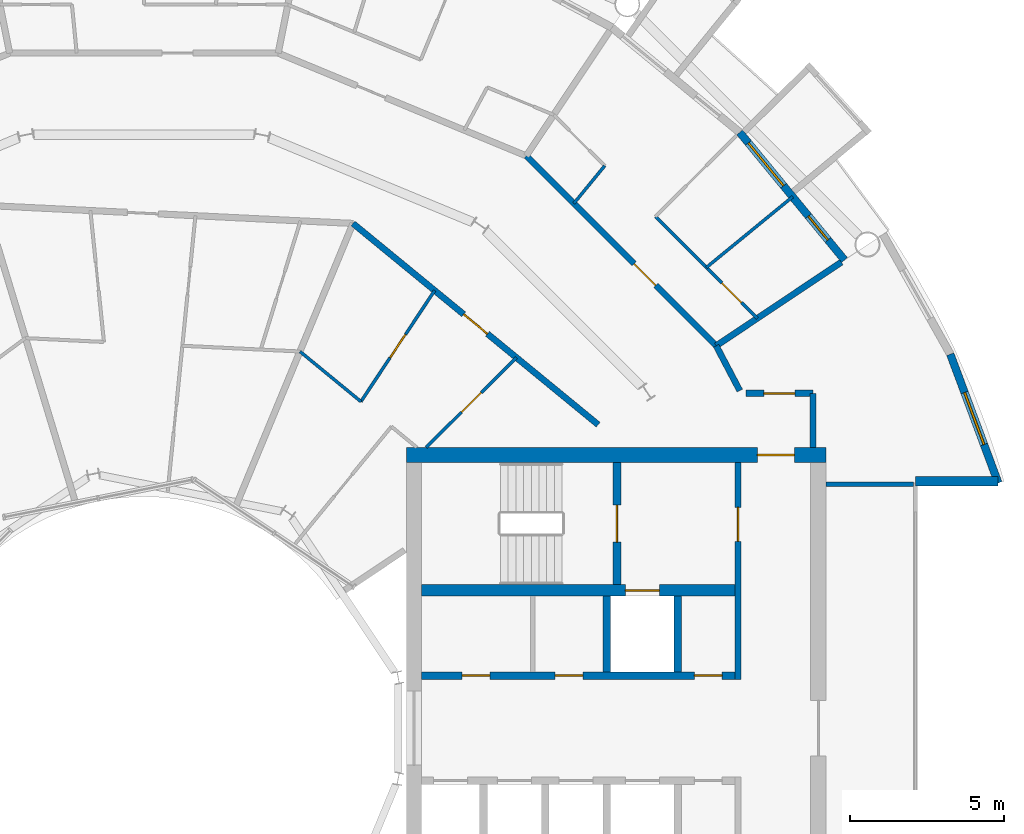
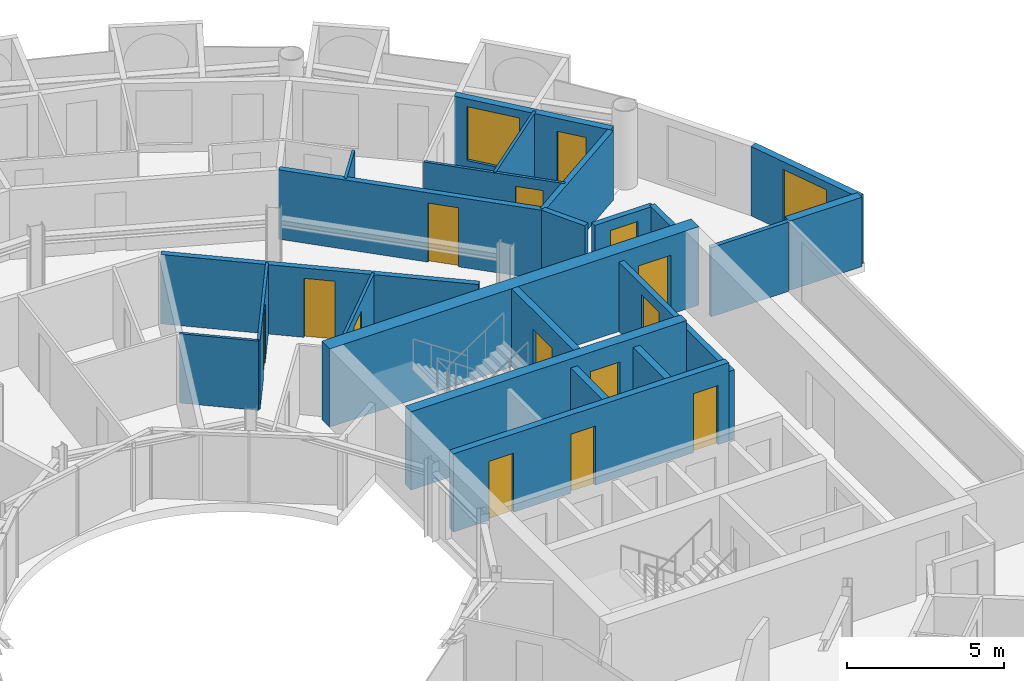
# One storey, part 22 of 27: 23 walls, 14 doors, 2 windows, 16 openings.
"""IFC4 building model written with IfcOpenShell, lengths in metres."""

from ifc_helpers import new_model, si_unit, direction, frame, frame_2d, origin, place, context, subcontext, project, spatial, rectangle, extrude, material, layer, layer_set, type_object, element, fill, save


model = new_model("IFC4")

# Units and contexts
model_context = context("Model", 3, precision=1e-05, world=origin(), true_north=direction((0.0, 1.0)))
body_context = subcontext(model_context, "Body", "Model", "MODEL_VIEW")
ifc_project = project(units=[si_unit("LENGTHUNIT", "METRE"), si_unit("AREAUNIT", "SQUARE_METRE"), si_unit("VOLUMEUNIT", "CUBIC_METRE"), si_unit("PLANEANGLEUNIT", "RADIAN"), si_unit("MASSUNIT", "GRAM", prefix="KILO")], contexts=[model_context])

# Site, building, storey
site_placement = place(None, origin())
site = spatial("IfcSite", under=ifc_project, at=site_placement, CompositionType="ELEMENT")
building_placement = place(site_placement, origin())
building = spatial("IfcBuilding", under=site, at=building_placement, Name="Maasbend Ring Residences", CompositionType="ELEMENT")
storey_placement = place(building_placement, frame((0.0, 0.0, 170.75)))
storey = spatial("IfcBuildingStorey", under=building, at=storey_placement, Name="L49", CompositionType="ELEMENT", Elevation=170.75)

# Wall, openings, doors
ifc_material_1 = material(Name="Concrete C60/75", Category="concrete")
ifc_layer_1 = layer(ifc_material_1, 0.25)
ifc_layer_set_1 = layer_set([ifc_layer_1], Name="Concrete C60/75")
wall_type_1 = type_object("IfcWallType", Name="CORE WALL 250 C60/75", PredefinedType="SHEAR", material=ifc_layer_set_1)
wall_1_placement = place(storey_placement, frame((9.0, 1.699951171875, 0.0), z_axis=(0.0, 0.0, 1.0), x_axis=(1.0, 0.0, 0.0)))
wall_1 = element("IfcWall", 1, at=wall_1_placement, inside=storey, type_object=wall_type_1, Name="L49 core E wall SPN", PredefinedType="SHEAR", context=body_context, shape_type="SweptSolid", body=[
    extrude(rectangle(XDim=10.14990234375, YDim=0.25, at=frame_2d((5.074951171875, 0.0))), origin(), (0.0, 0.0, 1.0), 3.050048828125),
])
opening_1_placement = place(wall_1_placement, frame((1.3125, 0.0, 0.0)))
opening_1 = element("IfcOpeningElement", 2, at=opening_1_placement, cuts=wall_1, Name="Opening D-E4906", PredefinedType="OPENING", context=body_context, shape_type="SweptSolid", body=[
    extrude(rectangle(XDim=0.89990234375, YDim=2.300048828125, at=frame_2d((0.449951171875, 1.14990234375))), frame((0.0, 0.135009765625, 0.0), z_axis=(0.0, -1.0, 0.0), x_axis=(1.0, 0.0, 0.0)), (0.0, 0.0, 1.0), 0.27001953125),
])
opening_2_placement = place(wall_1_placement, frame((4.324951171875, 0.0, 0.0)))
opening_2 = element("IfcOpeningElement", 3, at=opening_2_placement, cuts=wall_1, Name="Opening D-E4907", PredefinedType="OPENING", context=body_context, shape_type="SweptSolid", body=[
    extrude(rectangle(XDim=0.89990234375, YDim=2.300048828125, at=frame_2d((0.449951171875, 1.14990234375))), frame((0.0, 0.135009765625, 0.0), z_axis=(0.0, -1.0, 0.0), x_axis=(1.0, 0.0, 0.0)), (0.0, 0.0, 1.0), 0.27001953125),
])
opening_3_placement = place(wall_1_placement, frame((8.83740234375, 0.0, 0.0)))
opening_3 = element("IfcOpeningElement", 4, at=opening_3_placement, cuts=wall_1, Name="Opening D-E4908", PredefinedType="OPENING", context=body_context, shape_type="SweptSolid", body=[
    extrude(rectangle(XDim=0.89990234375, YDim=2.300048828125, at=frame_2d((0.449951171875, 1.14990234375))), frame((0.0, 0.135009765625, 0.0), z_axis=(0.0, -1.0, 0.0), x_axis=(1.0, 0.0, 0.0)), (0.0, 0.0, 1.0), 0.27001953125),
])
ifc_material_2 = material(Name="Steel, powder coated", Category="steel")
door_type_1 = type_object("IfcDoorType", Name="ROOM DOOR 900 X 2300 FD30S", OperationType="NOTDEFINED", PredefinedType="DOOR", material=ifc_material_2)
door_1_placement = place(opening_1_placement, origin())
door_1 = element("IfcDoor", 5, at=door_1_placement, inside=storey, type_object=door_type_1, Name="Room door L49", OperationType="SINGLE_SWING_RIGHT", OverallHeight=2.300048828125, OverallWidth=0.89990234375, PredefinedType="DOOR", context=body_context, shape_type="SweptSolid", body=[
    extrude(rectangle(XDim=0.89990234375, YDim=2.300048828125, at=frame_2d((0.449951171875, 1.14990234375))), frame((0.0, 0.02490234375, 0.0), z_axis=(0.0, -1.0, 0.0), x_axis=(1.0, 0.0, 0.0)), (0.0, 0.0, 1.0), 0.050048828125),
])
fill(opening_1, door_1)
door_2_placement = place(opening_2_placement, origin())
door_2 = element("IfcDoor", 6, at=door_2_placement, inside=storey, type_object=door_type_1, Name="Room door L49", OperationType="SINGLE_SWING_RIGHT", OverallHeight=2.300048828125, OverallWidth=0.89990234375, PredefinedType="DOOR", context=body_context, shape_type="SweptSolid", body=[
    extrude(rectangle(XDim=0.89990234375, YDim=2.300048828125, at=frame_2d((0.449951171875, 1.14990234375))), frame((0.0, 0.02490234375, 0.0), z_axis=(0.0, -1.0, 0.0), x_axis=(1.0, 0.0, 0.0)), (0.0, 0.0, 1.0), 0.050048828125),
])
fill(opening_2, door_2)
door_3_placement = place(opening_3_placement, origin())
door_3 = element("IfcDoor", 7, at=door_3_placement, inside=storey, type_object=door_type_1, Name="Room door L49", OperationType="SINGLE_SWING_LEFT", OverallHeight=2.300048828125, OverallWidth=0.89990234375, PredefinedType="DOOR", context=body_context, shape_type="SweptSolid", body=[
    extrude(rectangle(XDim=0.89990234375, YDim=2.300048828125, at=frame_2d((0.449951171875, 1.14990234375))), frame((0.0, 0.02490234375, 0.0), z_axis=(0.0, -1.0, 0.0), x_axis=(1.0, 0.0, 0.0)), (0.0, 0.0, 1.0), 0.050048828125),
])
fill(opening_3, door_3)

# Wall, opening, door
wall_2_placement = place(storey_placement, frame((15.324951171875, 4.64990234375, 0.0), z_axis=(0.0, 0.0, 1.0), x_axis=(0.0, 1.0, 0.0)))
wall_2 = element("IfcWall", 8, at=wall_2_placement, inside=storey, type_object=wall_type_1, Name="L49 core E wall STEN", PredefinedType="SHEAR", context=body_context, shape_type="SweptSolid", body=[
    extrude(rectangle(XDim=3.9501953125, YDim=0.25, at=frame_2d((1.97509765625, 0.0))), origin(), (0.0, 0.0, 1.0), 3.050048828125),
])
opening_4_placement = place(wall_2_placement, frame((1.375, 0.0, 0.0)))
opening_4 = element("IfcOpeningElement", 9, at=opening_4_placement, cuts=wall_2, Name="Opening D-E4911", PredefinedType="OPENING", context=body_context, shape_type="SweptSolid", body=[
    extrude(rectangle(XDim=1.199951171875, YDim=2.300048828125, at=frame_2d((0.60009765625, 1.14990234375))), frame((0.0, 0.135009765625, 0.0), z_axis=(0.0, -1.0, 0.0), x_axis=(1.0, 0.0, 0.0)), (0.0, 0.0, 1.0), 0.27001953125),
])
ifc_material_3 = material(Name="Steel, powder coated", Category="steel")
door_type_2 = type_object("IfcDoorType", Name="STAIR DOOR 1200 X 2300 FD60", OperationType="NOTDEFINED", PredefinedType="DOOR", material=ifc_material_3)
door_4_placement = place(opening_4_placement, origin())
door_4 = element("IfcDoor", 10, at=door_4_placement, inside=storey, type_object=door_type_2, Name="Stair door ST-E L49", OperationType="SINGLE_SWING_LEFT", OverallHeight=2.300048828125, OverallWidth=1.199951171875, PredefinedType="DOOR", context=body_context, shape_type="SweptSolid", body=[
    extrude(rectangle(XDim=1.199951171875, YDim=2.300048828125, at=frame_2d((0.60009765625, 1.14990234375))), frame((0.0, 0.02490234375, 0.0), z_axis=(0.0, -1.0, 0.0), x_axis=(1.0, 0.0, 0.0)), (0.0, 0.0, 1.0), 0.050048828125),
])
fill(opening_4, door_4)

ifc_material_4 = material(Name="Concrete C60/75", Category="concrete")
ifc_layer_2 = layer(ifc_material_4, 0.375)
ifc_layer_set_2 = layer_set([ifc_layer_2], Name="Concrete C60/75")
wall_type_2 = type_object("IfcWallType", Name="CORE WALL 375 C60/75", PredefinedType="SHEAR", material=ifc_layer_set_2)
wall_3_placement = place(storey_placement, frame((9.0, 4.46240234375, 0.0), z_axis=(0.0, 0.0, 1.0), x_axis=(1.0, 0.0, 0.0)))
wall_3 = element("IfcWall", 11, at=wall_3_placement, inside=storey, type_object=wall_type_2, Name="L49 core E wall BN", PredefinedType="SHEAR", context=body_context, shape_type="SweptSolid", body=[
    extrude(rectangle(XDim=10.14990234375, YDim=0.375, at=frame_2d((5.074951171875, 0.0))), origin(), (0.0, 0.0, 1.0), 3.050048828125),
])
opening_5_placement = place(wall_3_placement, frame((6.60009765625, 0.0, 0.0)))
opening_5 = element("IfcOpeningElement", 12, at=opening_5_placement, cuts=wall_3, Name="Opening LD-E4901", PredefinedType="OPENING", context=body_context, shape_type="SweptSolid", body=[
    extrude(rectangle(XDim=1.10009765625, YDim=2.300048828125, at=frame_2d((0.550048828125, 1.14990234375))), frame((0.0, 0.197509765625, 0.0), z_axis=(0.0, -1.0, 0.0), x_axis=(1.0, 0.0, 0.0)), (0.0, 0.0, 1.0), 0.39501953125),
])
ifc_material_5 = material(Name="Stainless steel 316", Category="steel")
door_type_3 = type_object("IfcDoorType", Name="LANDING DOOR 1100 X 2300 FD60", OperationType="DOUBLE_DOOR_SLIDING", PredefinedType="DOOR", material=ifc_material_5)
door_5_placement = place(opening_5_placement, origin())
door_5 = element("IfcDoor", 13, at=door_5_placement, inside=storey, type_object=door_type_3, Name="Landing door FF-E L49", OperationType="DOUBLE_DOOR_SLIDING", OverallHeight=2.300048828125, OverallWidth=1.10009765625, PredefinedType="DOOR", context=body_context, shape_type="SweptSolid", body=[
    extrude(rectangle(XDim=1.10009765625, YDim=2.300048828125, at=frame_2d((0.550048828125, 1.14990234375))), frame((0.0, 0.02490234375, 0.0), z_axis=(0.0, -1.0, 0.0), x_axis=(1.0, 0.0, 0.0)), (0.0, 0.0, 1.0), 0.050048828125),
])
fill(opening_5, door_5)

ifc_material_6 = material(Name="Concrete C60/75", Category="concrete")
ifc_layer_3 = layer(ifc_material_6, 0.5)
ifc_layer_set_3 = layer_set([ifc_layer_3], Name="Concrete C60/75")
wall_type_3 = type_object("IfcWallType", Name="CORE WALL 500 C60/75", PredefinedType="SHEAR", material=ifc_layer_set_3)
wall_4_placement = place(storey_placement, frame((22.10009765625, 8.85009765625, 0.0), z_axis=(0.0, 0.0, 1.0), x_axis=(-1.0, 0.0, 0.0)))
wall_4 = element("IfcWall", 14, at=wall_4_placement, inside=storey, type_object=wall_type_3, Name="L49 core E wall PN", PredefinedType="SHEAR", context=body_context, shape_type="SweptSolid", body=[
    extrude(rectangle(XDim=13.60009765625, YDim=0.5, at=frame_2d((6.800048828125, 0.0))), origin(), (0.0, 0.0, 1.0), 3.050048828125),
])
opening_6_placement = place(wall_4_placement, frame((1.02490234375, 0.0, 0.0)))
opening_6 = element("IfcOpeningElement", 15, at=opening_6_placement, cuts=wall_4, Name="Opening D-E4915", PredefinedType="OPENING", context=body_context, shape_type="SweptSolid", body=[
    extrude(rectangle(XDim=1.199951171875, YDim=2.300048828125, at=frame_2d((0.60009765625, 1.14990234375))), frame((0.0, 0.260009765625, 0.0), z_axis=(0.0, -1.0, 0.0), x_axis=(1.0, 0.0, 0.0)), (0.0, 0.0, 1.0), 0.52001953125),
])
ifc_material_7 = material(Name="Steel, powder coated", Category="steel")
door_type_4 = type_object("IfcDoorType", Name="CORRIDOR DOOR 1200 X 2300 FD30S", OperationType="NOTDEFINED", PredefinedType="DOOR", material=ifc_material_7)
door_6_placement = place(opening_6_placement, origin())
door_6 = element("IfcDoor", 16, at=door_6_placement, inside=storey, type_object=door_type_4, Name="Corridor door L49", OperationType="SINGLE_SWING_RIGHT", OverallHeight=2.300048828125, OverallWidth=1.199951171875, PredefinedType="DOOR", context=body_context, shape_type="SweptSolid", body=[
    extrude(rectangle(XDim=1.199951171875, YDim=2.300048828125, at=frame_2d((0.60009765625, 1.14990234375))), frame((0.0, 0.02490234375, 0.0), z_axis=(0.0, -1.0, 0.0), x_axis=(1.0, 0.0, 0.0)), (0.0, 0.0, 1.0), 0.050048828125),
])
fill(opening_6, door_6)

# Wall
ifc_material_8 = material(Name="Concrete C30/37", Category="concrete")
ifc_layer_4 = layer(ifc_material_8, 0.199951171875)
ifc_layer_set_4 = layer_set([ifc_layer_4], Name="Concrete C30/37")
wall_type_4 = type_object("IfcWallType", Name="CORRIDOR WALL 200 CONCRETE", PredefinedType="PARTITIONING", material=ifc_layer_set_4)
wall_5_placement = place(storey_placement, frame((21.675048828125, 9.10009765625, 0.0), z_axis=(0.0, 0.0, 1.0), x_axis=(0.0, 1.0, 0.0)))
element("IfcWall", 17, at=wall_5_placement, inside=storey, type_object=wall_type_4, Name="U-L49-w019", PredefinedType="PARTITIONING", context=body_context, shape_type="SweptSolid", body=[
    extrude(rectangle(XDim=1.75, YDim=0.199951171875, at=frame_2d((0.875, 0.0))), origin(), (0.0, 0.0, 1.0), 2.699951171875),
])

# Wall, opening, door
wall_6_placement = place(storey_placement, frame((19.50390625, 10.85009765625, 0.0), z_axis=(0.0, 0.0, 1.0), x_axis=(1.0, 0.0, 0.0)))
wall_6 = element("IfcWall", 18, at=wall_6_placement, inside=storey, type_object=wall_type_4, Name="U-L49-w097", PredefinedType="PARTITIONING", context=body_context, shape_type="SweptSolid", body=[
    extrude(rectangle(XDim=2.171142578125, YDim=0.199951171875, at=frame_2d((1.08544921875, 0.0))), origin(), (0.0, 0.0, 1.0), 2.699951171875),
])
opening_7_placement = place(wall_6_placement, frame((0.5849609375, 0.0, 0.0)))
opening_7 = element("IfcOpeningElement", 19, at=opening_7_placement, cuts=wall_6, Name="Opening D-4968", PredefinedType="OPENING", context=body_context, shape_type="SweptSolid", body=[
    extrude(rectangle(XDim=1.0, YDim=2.300048828125, at=frame_2d((0.5, 1.14990234375))), frame((0.0, 0.10986328125, 0.0), z_axis=(0.0, -1.0, 0.0), x_axis=(1.0, 0.0, 0.0)), (0.0, 0.0, 1.0), 0.219970703125),
])
ifc_material_9 = material(Name="Timber, painted", Category="wood")
door_type_5 = type_object("IfcDoorType", Name="ROOM DOOR 1000 X 2300", OperationType="NOTDEFINED", PredefinedType="DOOR", material=ifc_material_9)
door_7_placement = place(opening_7_placement, origin())
door_7 = element("IfcDoor", 20, at=door_7_placement, inside=storey, type_object=door_type_5, Name="D-4968", OperationType="SINGLE_SWING_LEFT", OverallHeight=2.300048828125, OverallWidth=1.0, PredefinedType="DOOR", context=body_context, shape_type="SweptSolid", body=[
    extrude(rectangle(XDim=1.0, YDim=2.300048828125, at=frame_2d((0.5, 1.14990234375))), frame((0.0, 0.02490234375, 0.0), z_axis=(0.0, -1.0, 0.0), x_axis=(1.0, 0.0, 0.0)), (0.0, 0.0, 1.0), 0.050048828125),
])
fill(opening_7, door_7)

wall_7_placement = place(storey_placement, frame((6.77294921875, 16.35302734375, 0.0), z_axis=(0.0, 0.0, 1.0), x_axis=(0.773034536097, -0.634363938131, 0.0)))
wall_7 = element("IfcWall", 21, at=wall_7_placement, inside=storey, type_object=wall_type_4, Name="U-L49-w106", PredefinedType="PARTITIONING", context=body_context, shape_type="SweptSolid", body=[
    extrude(rectangle(XDim=10.276611328125, YDim=0.199951171875, at=frame_2d((5.13818359375, 0.0))), origin(), (0.0, 0.0, 1.0), 2.699951171875),
])
opening_8_placement = place(wall_7_placement, frame((4.637939453125, 0.0, 0.0)))
opening_8 = element("IfcOpeningElement", 22, at=opening_8_placement, cuts=wall_7, Name="Opening D-4921", PredefinedType="OPENING", context=body_context, shape_type="SweptSolid", body=[
    extrude(rectangle(XDim=1.0, YDim=2.300048828125, at=frame_2d((0.5, 1.14990234375))), frame((0.0, 0.10986328125, 0.0), z_axis=(0.0, -1.0, 0.0), x_axis=(1.0, 0.0, 0.0)), (0.0, 0.0, 1.0), 0.219970703125),
])
ifc_material_10 = material(Name="Timber, fire-rated, painted", Category="wood")
door_type_6 = type_object("IfcDoorType", Name="FLAT ENTRANCE DOOR 1000 X 2300 FIRE-RATED", OperationType="NOTDEFINED", PredefinedType="DOOR", material=ifc_material_10)
door_8_placement = place(opening_8_placement, origin())
door_8 = element("IfcDoor", 23, at=door_8_placement, inside=storey, type_object=door_type_6, Name="D-4921", OperationType="SINGLE_SWING_RIGHT", OverallHeight=2.300048828125, OverallWidth=1.0, PredefinedType="DOOR", context=body_context, shape_type="SweptSolid", body=[
    extrude(rectangle(XDim=1.0, YDim=2.300048828125, at=frame_2d((0.5, 1.14990234375))), frame((0.0, 0.02490234375, 0.0), z_axis=(0.0, -1.0, 0.0), x_axis=(1.0, 0.0, 0.0)), (0.0, 0.0, 1.0), 0.050048828125),
])
fill(opening_8, door_8)

wall_8_placement = place(storey_placement, frame((12.388916015625, 18.5419921875, 0.0), z_axis=(0.0, 0.0, 1.0), x_axis=(0.707106781187, -0.707106781187, 0.0)))
wall_8 = element("IfcWall", 24, at=wall_8_placement, inside=storey, type_object=wall_type_4, Name="U-L49-w113", PredefinedType="PARTITIONING", context=body_context, shape_type="SweptSolid", body=[
    extrude(rectangle(XDim=8.70166015625, YDim=0.199951171875, at=frame_2d((4.350830078125, 0.0))), origin(), (0.0, 0.0, 1.0), 2.699951171875),
])
opening_9_placement = place(wall_8_placement, frame((4.93798828125, 0.0, 0.0)))
opening_9 = element("IfcOpeningElement", 25, at=opening_9_placement, cuts=wall_8, Name="Opening D-4901", PredefinedType="OPENING", context=body_context, shape_type="SweptSolid", body=[
    extrude(rectangle(XDim=1.0, YDim=2.300048828125, at=frame_2d((0.5, 1.14990234375))), frame((0.0, 0.10986328125, 0.0), z_axis=(0.0, -1.0, 0.0), x_axis=(1.0, 0.0, 0.0)), (0.0, 0.0, 1.0), 0.219970703125),
])
door_9_placement = place(opening_9_placement, origin())
door_9 = element("IfcDoor", 26, at=door_9_placement, inside=storey, type_object=door_type_6, Name="D-4901", OperationType="SINGLE_SWING_RIGHT", OverallHeight=2.300048828125, OverallWidth=1.0, PredefinedType="DOOR", context=body_context, shape_type="SweptSolid", body=[
    extrude(rectangle(XDim=1.0, YDim=2.300048828125, at=frame_2d((0.5, 1.14990234375))), frame((0.0, 0.02490234375, 0.0), z_axis=(0.0, -1.0, 0.0), x_axis=(1.0, 0.0, 0.0)), (0.0, 0.0, 1.0), 0.050048828125),
])
fill(opening_9, door_9)

# Wall
wall_9_placement = place(storey_placement, frame((18.5419921875, 12.388916015625, 0.0), z_axis=(0.0, 0.0, 1.0), x_axis=(0.465605550524, -0.884992356646, 0.0)))
element("IfcWall", 27, at=wall_9_placement, inside=storey, type_object=wall_type_4, Name="U-L49-w115", PredefinedType="PARTITIONING", context=body_context, shape_type="SweptSolid", body=[
    extrude(rectangle(XDim=1.642822265625, YDim=0.199951171875, at=frame_2d((0.8212890625, 0.0))), origin(), (0.0, 0.0, 1.0), 2.699951171875),
])

# Wall, openings, door, window
ifc_material_11 = material(Name="Aluminium clad insulated panel", Category="aluminium")
ifc_layer_5 = layer(ifc_material_11, 0.25)
ifc_layer_set_5 = layer_set([ifc_layer_5], Name="EW-GL")
wall_type_5 = type_object("IfcWallType", Name="EW-GL", PredefinedType="SOLIDWALL", material=ifc_layer_set_5)
wall_10_placement = place(storey_placement, frame((22.698974609375, 15.1669921875, 0.0), z_axis=(0.0, 0.0, 1.0), x_axis=(-0.634382322723, 0.773019449054, 0.0)))
wall_10 = element("IfcWall", 28, at=wall_10_placement, inside=storey, type_object=wall_type_5, Name="External wall N01", PredefinedType="SOLIDWALL", context=body_context, shape_type="SweptSolid", body=[
    extrude(rectangle(XDim=5.351806640625, YDim=0.25, at=frame_2d((2.67578125, 0.0))), origin(), (0.0, 0.0, 1.0), 2.699951171875),
])
opening_10_placement = place(wall_10_placement, frame((0.841064453125, 0.0, 0.0)))
opening_10 = element("IfcOpeningElement", 29, at=opening_10_placement, cuts=wall_10, Name="Opening D-LG", PredefinedType="OPENING", context=body_context, shape_type="SweptSolid", body=[
    extrude(rectangle(XDim=1.0, YDim=2.199951171875, at=frame_2d((0.5, 1.10009765625))), frame((0.0, 0.135009765625, 0.0), z_axis=(0.0, -1.0, 0.0), x_axis=(1.0, 0.0, 0.0)), (0.0, 0.0, 1.0), 0.27001953125),
])
opening_11_placement = place(wall_10_placement, frame((3.110595703125, 0.0, 0.300048828125)))
opening_11 = element("IfcOpeningElement", 30, at=opening_11_placement, cuts=wall_10, Name="Opening W-BX", PredefinedType="OPENING", context=body_context, shape_type="SweptSolid", body=[
    extrude(rectangle(XDim=1.800048828125, YDim=2.10009765625, at=frame_2d((0.89990234375, 1.050048828125))), frame((0.0, 0.135009765625, 0.0), z_axis=(0.0, -1.0, 0.0), x_axis=(1.0, 0.0, 0.0)), (0.0, 0.0, 1.0), 0.27001953125),
])
ifc_material_12 = material(Name="Aluminium and clear glass", Category="aluminium")
door_type_7 = type_object("IfcDoorType", Name="D-LG", OperationType="SINGLE_SWING_LEFT", PredefinedType="DOOR", material=ifc_material_12)
door_10_placement = place(opening_10_placement, origin())
door_10 = element("IfcDoor", 31, at=door_10_placement, inside=storey, type_object=door_type_7, Name="Loggia door N01", OperationType="SINGLE_SWING_LEFT", OverallHeight=2.199951171875, OverallWidth=1.0, PredefinedType="DOOR", context=body_context, shape_type="SweptSolid", body=[
    extrude(rectangle(XDim=1.0, YDim=2.199951171875, at=frame_2d((0.5, 1.10009765625))), frame((0.0, 0.02490234375, 0.0), z_axis=(0.0, -1.0, 0.0), x_axis=(1.0, 0.0, 0.0)), (0.0, 0.0, 1.0), 0.050048828125),
])
fill(opening_10, door_10)
ifc_material_13 = material(Name="Aluminium and clear glass", Category="aluminium")
window_type = type_object("IfcWindowType", Name="W-BX", PartitioningType="DOUBLE_PANEL_VERTICAL", PredefinedType="WINDOW", material=ifc_material_13)
window_1_placement = place(opening_11_placement, origin())
window_1 = element("IfcWindow", 32, at=window_1_placement, inside=storey, type_object=window_type, Name="Window N02 room to box", OverallHeight=2.10009765625, OverallWidth=1.800048828125, PartitioningType="SINGLE_PANEL", PredefinedType="WINDOW", context=body_context, shape_type="SweptSolid", body=[
    extrude(rectangle(XDim=1.800048828125, YDim=2.10009765625, at=frame_2d((0.89990234375, 1.050048828125))), frame((0.0, 0.030029296875, 0.0), z_axis=(0.0, -1.0, 0.0), x_axis=(1.0, 0.0, 0.0)), (0.0, 0.0, 1.0), 0.06005859375),
])
fill(opening_11, window_1)

# Wall, opening, window
ifc_material_14 = material(Name="Aluminium clad insulated panel", Category="aluminium")
ifc_layer_6 = layer(ifc_material_14, 0.25)
ifc_layer_set_6 = layer_set([ifc_layer_6], Name="EW-HORN")
wall_type_6 = type_object("IfcWallType", Name="EW-HORN", PredefinedType="SOLIDWALL", material=ifc_layer_set_6)
wall_11_placement = place(storey_placement, frame((27.681884765625, 7.945068359375, 0.0), z_axis=(0.0, 0.0, 1.0), x_axis=(-0.349247811493, 0.937030397675, 0.0)))
wall_11 = element("IfcWall", 33, at=wall_11_placement, inside=storey, type_object=wall_type_6, Name="Horn wall 1.1", PredefinedType="SOLIDWALL", context=body_context, shape_type="SweptSolid", body=[
    extrude(rectangle(XDim=4.4521484375, YDim=0.25, at=frame_2d((2.22607421875, 0.0))), origin(), (0.0, 0.0, 1.0), 2.699951171875),
])
opening_12_placement = place(wall_11_placement, frame((1.32666015625, 0.0, 0.300048828125)))
opening_12 = element("IfcOpeningElement", 34, at=opening_12_placement, cuts=wall_11, Name="Opening W-BX", PredefinedType="OPENING", context=body_context, shape_type="SweptSolid", body=[
    extrude(rectangle(XDim=1.800048828125, YDim=2.10009765625, at=frame_2d((0.89990234375, 1.050048828125))), frame((0.0, 0.135009765625, 0.0), z_axis=(0.0, -1.0, 0.0), x_axis=(1.0, 0.0, 0.0)), (0.0, 0.0, 1.0), 0.27001953125),
])
window_2_placement = place(opening_12_placement, origin())
window_2 = element("IfcWindow", 35, at=window_2_placement, inside=storey, type_object=window_type, Name="Horn window 1.1", OverallHeight=2.10009765625, OverallWidth=1.800048828125, PartitioningType="SINGLE_PANEL", PredefinedType="WINDOW", context=body_context, shape_type="SweptSolid", body=[
    extrude(rectangle(XDim=1.800048828125, YDim=2.10009765625, at=frame_2d((0.89990234375, 1.050048828125))), frame((0.0, 0.030029296875, 0.0), z_axis=(0.0, -1.0, 0.0), x_axis=(1.0, 0.0, 0.0)), (0.0, 0.0, 1.0), 0.06005859375),
])
fill(opening_12, window_2)

# Wall
ifc_material_15 = material(Name="Aluminium clad insulated panel", Category="aluminium")
ifc_layer_7 = layer(ifc_material_15, 0.300048828125)
ifc_layer_set_7 = layer_set([ifc_layer_7], Name="EW-RET")
wall_type_7 = type_object("IfcWallType", Name="EW-RET", PredefinedType="SOLIDWALL", material=ifc_layer_set_7)
wall_12_placement = place(storey_placement, frame((25.0, 8.0, 0.0), z_axis=(0.0, 0.0, 1.0), x_axis=(1.0, 0.0, 0.0)))
element("IfcWall", 36, at=wall_12_placement, inside=storey, type_object=wall_type_7, Name="Notch return wall east north", PredefinedType="SOLIDWALL", context=body_context, shape_type="SweptSolid", body=[
    extrude(rectangle(XDim=2.6669921875, YDim=0.300048828125, at=frame_2d((1.33349609375, 0.0))), origin(), (0.0, 0.0, 1.0), 2.699951171875),
])

# Wall, opening, door
ifc_material_16 = material(Name="Gypsum board on steel studs", Category="steel")
ifc_layer_8 = layer(ifc_material_16, 0.10009765625)
ifc_layer_set_8 = layer_set([ifc_layer_8], Name="PARTITION 100 GYPSUM")
wall_type_8 = type_object("IfcWallType", Name="PARTITION 100 GYPSUM", PredefinedType="PARTITIONING", material=ifc_layer_set_8)
wall_13_placement = place(storey_placement, frame((7.031005859375, 10.58203125, 0.0), z_axis=(0.0, 0.0, 1.0), x_axis=(0.553303732327, 0.832979579457, 0.0)))
wall_13 = element("IfcWall", 37, at=wall_13_placement, inside=storey, type_object=wall_type_8, Name="U-L49-w079", PredefinedType="PARTITIONING", context=body_context, shape_type="SweptSolid", body=[
    extrude(rectangle(XDim=4.3193359375, YDim=0.10009765625, at=frame_2d((2.15966796875, 0.0))), origin(), (0.0, 0.0, 1.0), 2.699951171875),
])
opening_13_placement = place(wall_13_placement, frame((1.7099609375, 0.0, 0.0)))
opening_13 = element("IfcOpeningElement", 38, at=opening_13_placement, cuts=wall_13, Name="Opening D-4922", PredefinedType="OPENING", context=body_context, shape_type="SweptSolid", body=[
    extrude(rectangle(XDim=0.89990234375, YDim=2.300048828125, at=frame_2d((0.449951171875, 1.14990234375))), frame((0.0, 0.06005859375, 0.0), z_axis=(0.0, -1.0, 0.0), x_axis=(1.0, 0.0, 0.0)), (0.0, 0.0, 1.0), 0.1201171875),
])
ifc_material_17 = material(Name="Timber, painted", Category="wood")
door_type_8 = type_object("IfcDoorType", Name="INTERNAL DOOR 900 X 2300", OperationType="NOTDEFINED", PredefinedType="DOOR", material=ifc_material_17)
door_11_placement = place(opening_13_placement, origin())
door_11 = element("IfcDoor", 39, at=door_11_placement, inside=storey, type_object=door_type_8, Name="D-4922", OperationType="SINGLE_SWING_LEFT", OverallHeight=2.300048828125, OverallWidth=0.89990234375, PredefinedType="DOOR", context=body_context, shape_type="SweptSolid", body=[
    extrude(rectangle(XDim=0.89990234375, YDim=2.300048828125, at=frame_2d((0.449951171875, 1.14990234375))), frame((0.0, 0.02490234375, 0.0), z_axis=(0.0, -1.0, 0.0), x_axis=(1.0, 0.0, 0.0)), (0.0, 0.0, 1.0), 0.050048828125),
])
fill(opening_13, door_11)

wall_14_placement = place(storey_placement, frame((9.14794921875, 9.10009765625, 0.0), z_axis=(0.0, 0.0, 1.0), x_axis=(0.708822693149, 0.705386695138, 0.0)))
wall_14 = element("IfcWall", 40, at=wall_14_placement, inside=storey, type_object=wall_type_8, Name="U-L49-w082", PredefinedType="PARTITIONING", context=body_context, shape_type="SweptSolid", body=[
    extrude(rectangle(XDim=4.12109375, YDim=0.10009765625, at=frame_2d((2.060546875, 0.0))), origin(), (0.0, 0.0, 1.0), 2.699951171875),
])
opening_14_placement = place(wall_14_placement, frame((1.611083984375, 0.0, 0.0)))
opening_14 = element("IfcOpeningElement", 41, at=opening_14_placement, cuts=wall_14, Name="Opening D-4923", PredefinedType="OPENING", context=body_context, shape_type="SweptSolid", body=[
    extrude(rectangle(XDim=0.89990234375, YDim=2.300048828125, at=frame_2d((0.449951171875, 1.14990234375))), frame((0.0, 0.06005859375, 0.0), z_axis=(0.0, -1.0, 0.0), x_axis=(1.0, 0.0, 0.0)), (0.0, 0.0, 1.0), 0.1201171875),
])
door_12_placement = place(opening_14_placement, origin())
door_12 = element("IfcDoor", 42, at=door_12_placement, inside=storey, type_object=door_type_8, Name="D-4923", OperationType="SINGLE_SWING_LEFT", OverallHeight=2.300048828125, OverallWidth=0.89990234375, PredefinedType="DOOR", context=body_context, shape_type="SweptSolid", body=[
    extrude(rectangle(XDim=0.89990234375, YDim=2.300048828125, at=frame_2d((0.449951171875, 1.14990234375))), frame((0.0, 0.02490234375, 0.0), z_axis=(0.0, -1.0, 0.0), x_axis=(1.0, 0.0, 0.0)), (0.0, 0.0, 1.0), 0.050048828125),
])
fill(opening_14, door_12)

# Walls
wall_15_placement = place(storey_placement, frame((13.929931640625, 17.0009765625, 0.0), z_axis=(0.0, 0.0, 1.0), x_axis=(0.633633636523, 0.773633255921, 0.0)))
element("IfcWall", 43, at=wall_15_placement, inside=storey, type_object=wall_type_8, Name="U-L49-w086", PredefinedType="PARTITIONING", context=body_context, shape_type="SweptSolid", body=[
    extrude(rectangle(XDim=1.578125, YDim=0.10009765625, at=frame_2d((0.7890625, 0.0))), origin(), (0.0, 0.0, 1.0), 2.699951171875),
])
wall_16_placement = place(storey_placement, frame((18.22412109375, 14.927001953125, 0.0), z_axis=(0.0, 0.0, 1.0), x_axis=(0.773548271597, 0.633737383709, 0.0)))
element("IfcWall", 44, at=wall_16_placement, inside=storey, type_object=wall_type_8, Name="U-L49-w091", PredefinedType="PARTITIONING", context=body_context, shape_type="SweptSolid", body=[
    extrude(rectangle(XDim=3.6181640625, YDim=0.10009765625, at=frame_2d((1.80908203125, 0.0))), origin(), (0.0, 0.0, 1.0), 2.699951171875),
])
wall_17_placement = place(storey_placement, frame((5.05810546875, 12.202880859375, 0.0), z_axis=(0.0, 0.0, 1.0), x_axis=(0.772764723682, -0.634692588449, 0.0)))
element("IfcWall", 45, at=wall_17_placement, inside=storey, type_object=wall_type_8, Name="U-L49-w102", PredefinedType="PARTITIONING", context=body_context, shape_type="SweptSolid", body=[
    extrude(rectangle(XDim=2.556884765625, YDim=0.10009765625, at=frame_2d((1.2783203125, 0.0))), origin(), (0.0, 0.0, 1.0), 2.699951171875),
])

# Wall, opening, door
wall_18_placement = place(storey_placement, frame((16.574951171875, 16.574951171875, 0.0), z_axis=(0.0, 0.0, 1.0), x_axis=(0.707132961115, -0.707080600289, 0.0)))
wall_18 = element("IfcWall", 46, at=wall_18_placement, inside=storey, type_object=wall_type_8, Name="U-L49-w125", PredefinedType="PARTITIONING", context=body_context, shape_type="SweptSolid", body=[
    extrude(rectangle(XDim=4.66259765625, YDim=0.10009765625, at=frame_2d((2.331298828125, 0.0))), origin(), (0.0, 0.0, 1.0), 2.699951171875),
])
opening_15_placement = place(wall_18_placement, frame((3.04296875, 0.0, 0.0)))
opening_15 = element("IfcOpeningElement", 47, at=opening_15_placement, cuts=wall_18, Name="Opening D-4904", PredefinedType="OPENING", context=body_context, shape_type="SweptSolid", body=[
    extrude(rectangle(XDim=0.89990234375, YDim=2.300048828125, at=frame_2d((0.449951171875, 1.14990234375))), frame((0.0, 0.06005859375, 0.0), z_axis=(0.0, -1.0, 0.0), x_axis=(1.0, 0.0, 0.0)), (0.0, 0.0, 1.0), 0.1201171875),
])
door_13_placement = place(opening_15_placement, origin())
door_13 = element("IfcDoor", 48, at=door_13_placement, inside=storey, type_object=door_type_8, Name="D-4904", OperationType="SINGLE_SWING_RIGHT", OverallHeight=2.300048828125, OverallWidth=0.89990234375, PredefinedType="DOOR", context=body_context, shape_type="SweptSolid", body=[
    extrude(rectangle(XDim=0.89990234375, YDim=2.300048828125, at=frame_2d((0.449951171875, 1.14990234375))), frame((0.0, 0.02490234375, 0.0), z_axis=(0.0, -1.0, 0.0), x_axis=(1.0, 0.0, 0.0)), (0.0, 0.0, 1.0), 0.050048828125),
])
fill(opening_15, door_13)

# Walls
ifc_material_18 = material(Name="Gypsum board on steel studs", Category="steel")
ifc_layer_9 = layer(ifc_material_18, 0.14990234375)
ifc_layer_set_9 = layer_set([ifc_layer_9], Name="PARTITION 150 EI 60")
wall_type_9 = type_object("IfcWallType", Name="PARTITION 150 EI 60", PredefinedType="PARTITIONING", material=ifc_layer_set_9)
wall_19_placement = place(storey_placement, frame((22.10009765625, 7.89990234375, 0.0), z_axis=(0.0, 0.0, 1.0), x_axis=(1.0, 0.0, 0.0)))
element("IfcWall", 49, at=wall_19_placement, inside=storey, type_object=wall_type_9, Name="L49 core E wall CITN", PredefinedType="PARTITIONING", context=body_context, shape_type="SweptSolid", body=[
    extrude(rectangle(XDim=2.83984375, YDim=0.14990234375, at=frame_2d((1.419921875, 0.0))), origin(), (0.0, 0.0, 1.0), 2.699951171875),
])
ifc_material_19 = material(Name="Concrete C30/37", Category="concrete")
ifc_layer_10 = layer(ifc_material_19, 0.199951171875)
ifc_layer_set_10 = layer_set([ifc_layer_10], Name="Concrete C30/37")
wall_type_10 = type_object("IfcWallType", Name="PARTY WALL 200 CONCRETE", PredefinedType="PARTITIONING", material=ifc_layer_set_10)
wall_20_placement = place(storey_placement, frame((18.5419921875, 12.388916015625, 0.0), z_axis=(0.0, 0.0, 1.0), x_axis=(0.831387096605, 0.55569370664, 0.0)))
element("IfcWall", 50, at=wall_20_placement, inside=storey, type_object=wall_type_10, Name="U-L49-w093", PredefinedType="PARTITIONING", context=body_context, shape_type="SweptSolid", body=[
    extrude(rectangle(XDim=4.875, YDim=0.199951171875, at=frame_2d((2.4375, 0.0))), origin(), (0.0, 0.0, 1.0), 2.699951171875),
])

# Wall, opening, door
ifc_material_20 = material(Name="Concrete C30/37", Category="concrete")
ifc_layer_11 = layer(ifc_material_20, 0.199951171875)
ifc_layer_set_11 = layer_set([ifc_layer_11], Name="Concrete C30/37")
wall_type_11 = type_object("IfcWallType", Name="SHAFT WALL 200 EI 120", PredefinedType="SOLIDWALL", material=ifc_layer_set_11)
wall_21_placement = place(storey_placement, frame((19.25, 1.574951171875, 0.0), z_axis=(0.0, 0.0, 1.0), x_axis=(0.0, 1.0, 0.0)))
wall_21 = element("IfcWall", 51, at=wall_21_placement, inside=storey, type_object=wall_type_11, Name="L49 core E wall ENDN", PredefinedType="SOLIDWALL", context=body_context, shape_type="SweptSolid", body=[
    extrude(rectangle(XDim=7.025146484375, YDim=0.199951171875, at=frame_2d((3.5126953125, 0.0))), origin(), (0.0, 0.0, 1.0), 2.699951171875),
])
opening_16_placement = place(wall_21_placement, frame((4.47509765625, 0.0, 0.0)))
opening_16 = element("IfcOpeningElement", 52, at=opening_16_placement, cuts=wall_21, Name="Opening D-E4913", PredefinedType="OPENING", context=body_context, shape_type="SweptSolid", body=[
    extrude(rectangle(XDim=1.10009765625, YDim=2.300048828125, at=frame_2d((0.550048828125, 1.14990234375))), frame((0.0, 0.10986328125, 0.0), z_axis=(0.0, -1.0, 0.0), x_axis=(1.0, 0.0, 0.0)), (0.0, 0.0, 1.0), 0.219970703125),
])
ifc_material_21 = material(Name="Steel, powder coated", Category="steel")
door_type_9 = type_object("IfcDoorType", Name="LOBBY DOOR 1100 X 2300 FD60", OperationType="NOTDEFINED", PredefinedType="DOOR", material=ifc_material_21)
door_14_placement = place(opening_16_placement, origin())
door_14 = element("IfcDoor", 53, at=door_14_placement, inside=storey, type_object=door_type_9, Name="Lobby door L49", OperationType="SINGLE_SWING_LEFT", OverallHeight=2.300048828125, OverallWidth=1.10009765625, PredefinedType="DOOR", context=body_context, shape_type="SweptSolid", body=[
    extrude(rectangle(XDim=1.10009765625, YDim=2.300048828125, at=frame_2d((0.550048828125, 1.14990234375))), frame((0.0, 0.02490234375, 0.0), z_axis=(0.0, -1.0, 0.0), x_axis=(1.0, 0.0, 0.0)), (0.0, 0.0, 1.0), 0.050048828125),
])
fill(opening_16, door_14)

# Walls
ifc_material_22 = material(Name="Concrete C30/37", Category="concrete")
ifc_layer_12 = layer(ifc_material_22, 0.25)
ifc_layer_set_12 = layer_set([ifc_layer_12], Name="Concrete C30/37")
wall_type_12 = type_object("IfcWallType", Name="SHAFT WALL 250 EI 120", PredefinedType="SOLIDWALL", material=ifc_layer_set_12)
for number, where, z_axis, x_axis, name in (
    (54, (15.0, 1.824951171875, 0.0), (0.0, 0.0, 1.0), (0.0, 1.0, 0.0), "L49 core E wall D150N"),
    (55, (17.300048828125, 1.824951171875, 0.0), (0.0, 0.0, 1.0), (0.0, 1.0, 0.0), "L49 core E wall D173N"),
):
    element("IfcWall", number, at=place(storey_placement, frame(where, z_axis=z_axis, x_axis=x_axis)), inside=storey, type_object=wall_type_12, Name=name, PredefinedType="SOLIDWALL", context=body_context, shape_type="SweptSolid", body=[
        extrude(rectangle(XDim=2.449951171875, YDim=0.25, at=frame_2d((1.22509765625, 0.0))), origin(), (0.0, 0.0, 1.0), 2.699951171875),
    ])

save(model, "model.ifc")
